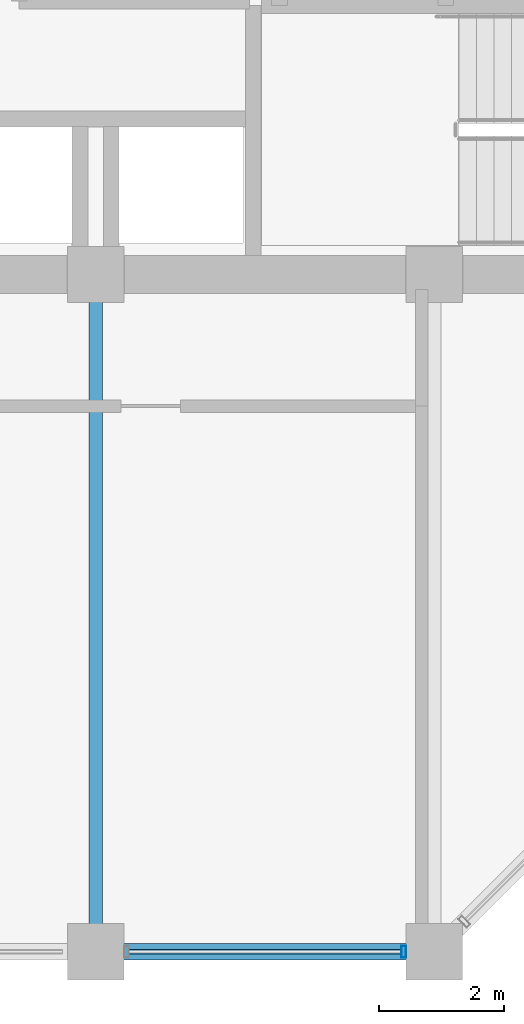
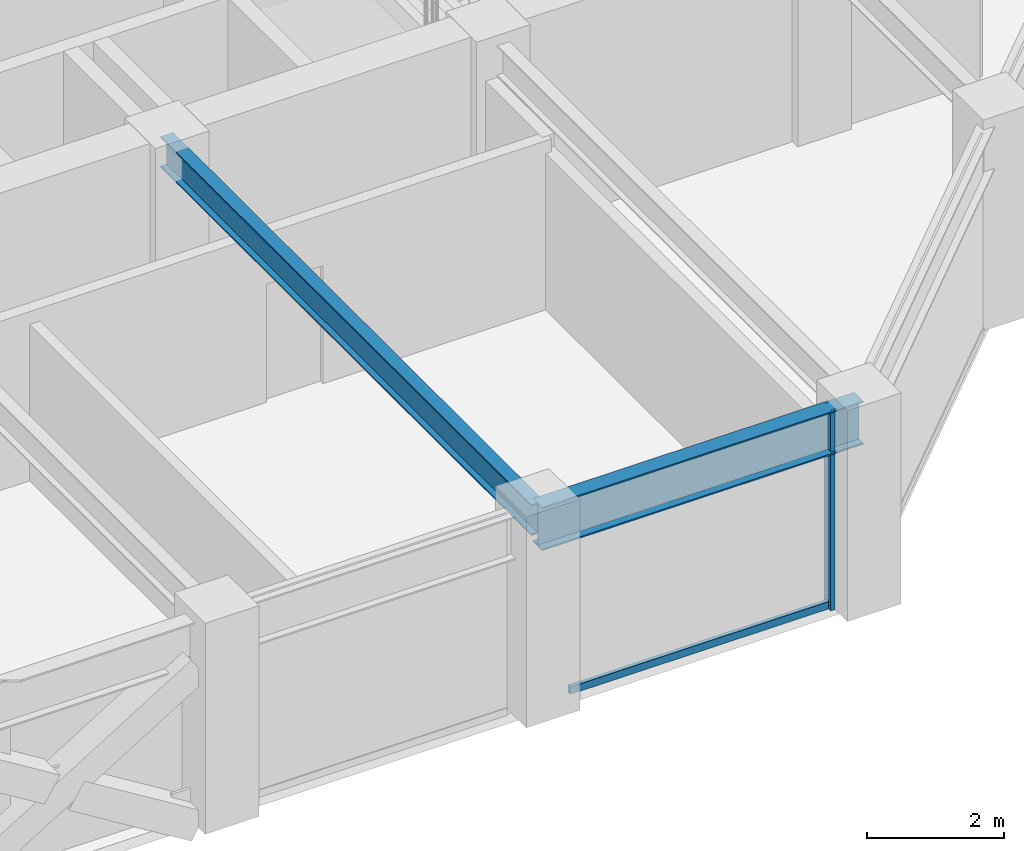
# One storey, part 7 of 32: 2 beams, 2 members, 1 element without a shape of its own.
"""IFC4 building model written with IfcOpenShell, lengths in metres."""

from ifc_helpers import new_model, si_unit, direction, frame, origin, origin_2d, place, context, subcontext, project, spatial, hollow_rectangle, i_section, extrude, material, layer, layer_set, material_profile, profile_set, type_object, element, aggregate, save


model = new_model("IFC4")

# Units and contexts
model_context = context("Model", 3, precision=1e-05, world=origin(), true_north=direction((0.0, 1.0)))
body_context = subcontext(model_context, "Body", "Model", "MODEL_VIEW")
ifc_project = project(units=[si_unit("LENGTHUNIT", "METRE"), si_unit("AREAUNIT", "SQUARE_METRE"), si_unit("VOLUMEUNIT", "CUBIC_METRE"), si_unit("PLANEANGLEUNIT", "RADIAN"), si_unit("MASSUNIT", "GRAM", prefix="KILO")], contexts=[model_context])

# Site, building, storey
site_placement = place(None, origin())
site = spatial("IfcSite", under=ifc_project, at=site_placement, CompositionType="ELEMENT")
building_placement = place(site_placement, origin())
building = spatial("IfcBuilding", under=site, at=building_placement, Name="Surkhivell Harbour Commons", CompositionType="ELEMENT")
storey_placement = place(building_placement, frame((0.0, 0.0, 208.5)))
storey = spatial("IfcBuildingStorey", under=building, at=storey_placement, Name="L54", CompositionType="ELEMENT", Elevation=208.5)

# Beams
ifc_material_1 = material(Name="Steel S355", Category="steel")
ifc_material_profile_1 = material_profile(ifc_material_1, i_section(OverallWidth=0.2119140625, OverallDepth=0.5439453125, WebThickness=0.0126953125, FlangeThickness=0.021240234375, at=origin_2d()), Name="UB533x210x122")
ifc_profile_set_1 = profile_set([ifc_material_profile_1], Name="Steel S355")
beam_type_1 = type_object("IfcBeamType", Name="BM-GRD-533A", PredefinedType="BEAM", material=ifc_profile_set_1)
beam_1_placement = place(storey_placement, frame((0.0, -21.60009765625, 3.298095703125), z_axis=(0.0, 1.0, 0.0), x_axis=(-1.0, 0.0, 0.0)))
element("IfcBeam", 1, at=beam_1_placement, inside=storey, type_object=beam_type_1, Name="L54 Floor Girder (0.0,-21.6)", PredefinedType="BEAM", context=body_context, shape_type="SweptSolid", body=[
    extrude(i_section(OverallWidth=0.2119140625, OverallDepth=0.5439453125, WebThickness=0.0126953125, FlangeThickness=0.021240234375, at=origin_2d()), origin(), (0.0, 0.0, 1.0), 10.800048828125),
])
ifc_material_profile_2 = material_profile(ifc_material_1, i_section(OverallWidth=0.26806640625, OverallDepth=0.77001953125, WebThickness=0.015625, FlangeThickness=0.025390625, at=origin_2d()), Name="UB762x267x197")
ifc_profile_set_2 = profile_set([ifc_material_profile_2], Name="Steel S355")
beam_type_2 = type_object("IfcBeamType", Name="BM-SPN-762", PredefinedType="SPANDREL", material=ifc_profile_set_2)
beam_2_placement = place(storey_placement, frame((0.0, -21.60009765625, 3.18505859375), z_axis=(1.0, 0.0, 0.0), x_axis=(0.0, 1.0, 0.0)))
element("IfcBeam", 2, at=beam_2_placement, inside=storey, type_object=beam_type_2, Name="L54 Tube Spandrel (-0.0,-21.6)", PredefinedType="SPANDREL", context=body_context, shape_type="SweptSolid", body=[
    extrude(i_section(OverallWidth=0.26806640625, OverallDepth=0.77001953125, WebThickness=0.015625, FlangeThickness=0.025390625, at=origin_2d()), origin(), (0.0, 0.0, 1.0), 5.39990234375),
])

# Curtain wall, members
ifc_material_2 = material(Name="Anodised pale-metal aluminium and insulated glazing", Category="aluminium")
ifc_layer = layer(ifc_material_2, 0.18994140625)
ifc_layer_set = layer_set([ifc_layer], Name="Anodised pale-metal aluminium and insulated glazing")
curtain_wall_type = type_object("IfcCurtainWallType", Name="CW-SYS-Z3", PredefinedType="NOTDEFINED", material=ifc_layer_set)
curtain_wall_placement = place(storey_placement, origin())
curtain_wall = element("IfcCurtainWall", 3, at=curtain_wall_placement, inside=storey, type_object=curtain_wall_type, Name="L54 Curtain Wall CW-L54-E00S2", PredefinedType="NOTDEFINED")
ifc_material_3 = material(Name="Anodised pale-metal aluminium alloy 6063-T6", Category="aluminium")
ifc_material_profile_3 = material_profile(ifc_material_3, hollow_rectangle(XDim=0.074951171875, YDim=0.18994140625, WallThickness=0.00390625, at=origin_2d()), Name="ALU-MULL-75x190")
ifc_profile_set_3 = profile_set([ifc_material_profile_3], Name="Anodised pale-metal aluminium alloy 6063-T6")
member_type_1 = type_object("IfcMemberType", Name="CWM-190", PredefinedType="MULLION", material=ifc_profile_set_3)
member_1_placement = place(storey_placement, frame((4.910400390625, -21.60009765625, 0.0), z_axis=(0.0, 0.0, 1.0), x_axis=(1.0, 0.0, 0.0)))
member_1 = element("IfcMember", 4, at=member_1_placement, type_object=member_type_1, Name="CW-Z3 mullion 3", PredefinedType="MULLION", context=body_context, shape_type="SweptSolid", body=[
    extrude(hollow_rectangle(XDim=0.074951171875, YDim=0.18994140625, WallThickness=0.00390625, at=origin_2d()), origin(), (0.0, 0.0, 1.0), 3.570068359375),
])
ifc_material_4 = material(Name="Champagne anodised aluminium alloy 6063-T6", Category="aluminium")
ifc_material_profile_4 = material_profile(ifc_material_4, hollow_rectangle(XDim=0.070068359375, YDim=0.1298828125, WallThickness=0.00341796875, at=origin_2d()), Name="ALU-TRAN-70x130")
ifc_profile_set_4 = profile_set([ifc_material_profile_4], Name="Champagne anodised aluminium alloy 6063-T6")
member_type_2 = type_object("IfcMemberType", Name="CWT-130", PredefinedType="USERDEFINED", material=ifc_profile_set_4)
member_2_placement = place(storey_placement, frame((0.527099609375, -21.60009765625, 0.06494140625), z_axis=(1.0, 0.0, 0.0), x_axis=(0.0, 1.0, 0.0)))
member_2 = element("IfcMember", 5, at=member_2_placement, type_object=member_type_2, Name="CW-Z3 transom 2.1", ObjectType="TRANSOM", PredefinedType="USERDEFINED", context=body_context, shape_type="SweptSolid", body=[
    extrude(hollow_rectangle(XDim=0.070068359375, YDim=0.1298828125, WallThickness=0.00341796875, at=origin_2d()), origin(), (0.0, 0.0, 1.0), 4.345947265625),
])
aggregate(curtain_wall, [member_1, member_2])

save(model, "model.ifc")
